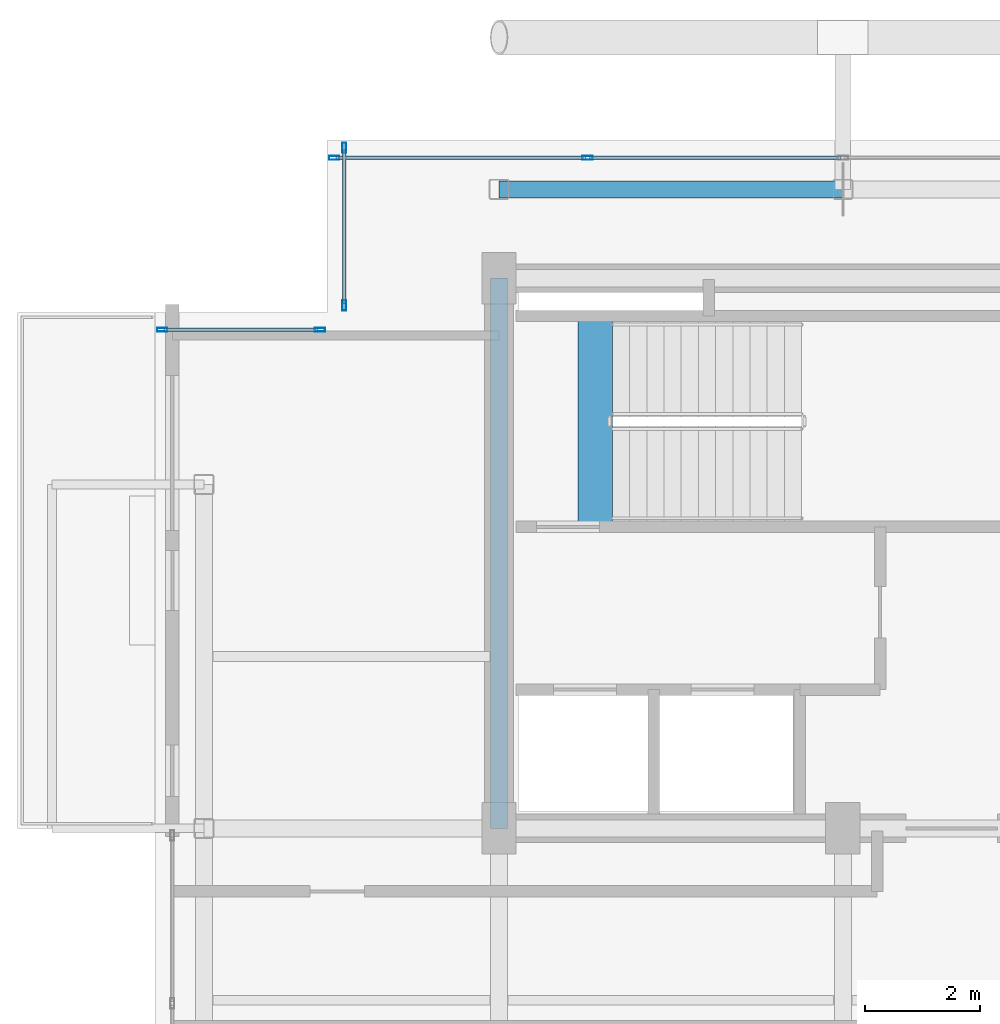
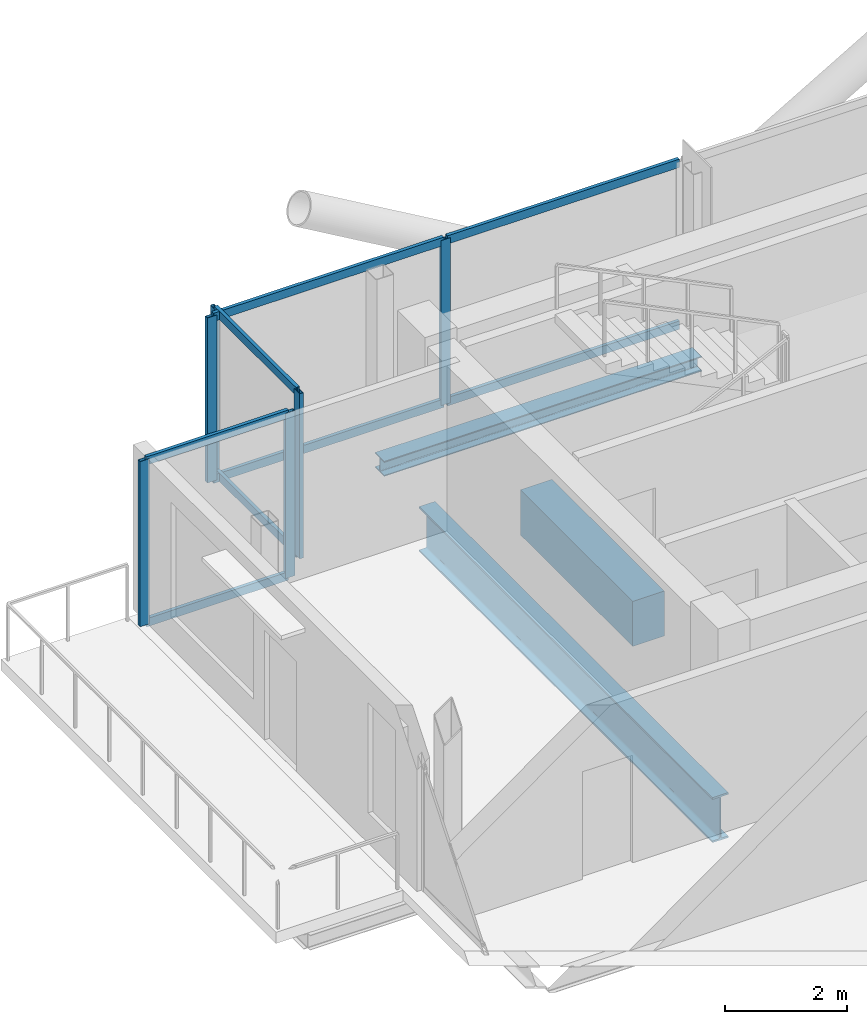
# One storey, part 7 of 18: 14 members, 3 beams, 3 elements without a shape of their own.
"""IFC4 building model written with IfcOpenShell, lengths in metres."""

from ifc_helpers import new_model, si_unit, direction, frame, origin, origin_2d, place, context, subcontext, project, spatial, rectangle, hollow_rectangle, i_section, extrude, material, layer, layer_set, material_profile, profile_set, type_object, element, aggregate, save


model = new_model("IFC4")

# Units and contexts
model_context = context("Model", 3, precision=1e-05, world=origin(), true_north=direction((0.0, 1.0)))
body_context = subcontext(model_context, "Body", "Model", "MODEL_VIEW")
ifc_project = project(units=[si_unit("LENGTHUNIT", "METRE"), si_unit("AREAUNIT", "SQUARE_METRE"), si_unit("VOLUMEUNIT", "CUBIC_METRE"), si_unit("PLANEANGLEUNIT", "RADIAN"), si_unit("MASSUNIT", "GRAM", prefix="KILO"), si_unit("THERMODYNAMICTEMPERATUREUNIT", "KELVIN"), si_unit("POWERUNIT", "WATT")], contexts=[model_context])

# Site, building, storey
site_placement = place(None, origin())
site = spatial("IfcSite", under=ifc_project, at=site_placement, CompositionType="ELEMENT")
building_placement = place(site_placement, origin())
building = spatial("IfcBuilding", under=site, at=building_placement, Name="Svarakhadi Broadcast Tower", CompositionType="ELEMENT")
storey_placement = place(building_placement, frame((0.0, 0.0, 274.699951171875)))
storey = spatial("IfcBuildingStorey", under=building, at=storey_placement, Name="L69", CompositionType="ELEMENT", Elevation=274.699951171875)

# Curtain wall, members
ifc_material_1 = material(Name="Anodised Bronze Aluminium AA 6063-T6", Category="aluminium")
ifc_layer = layer(ifc_material_1, 0.179931640625)
ifc_layer_set = layer_set([ifc_layer], Name="Anodised Bronze Aluminium AA 6063-T6")
curtain_wall_type = type_object("IfcCurtainWallType", Name="CW_Sys_05", PredefinedType="NOTDEFINED", material=ifc_layer_set)
curtain_wall_1_placement = place(storey_placement, origin())
curtain_wall_1 = element("IfcCurtainWall", 1, at=curtain_wall_1_placement, inside=storey, type_object=curtain_wall_type, Name="L69 Unitised Facade Curtain Wall 03", PredefinedType="NOTDEFINED")
ifc_material_profile_1 = material_profile(ifc_material_1, hollow_rectangle(XDim=0.070068359375, YDim=0.179931640625, WallThickness=0.005615234375, at=origin_2d()), Name="ALU MULLION 180x70x6")
ifc_profile_set_1 = profile_set([ifc_material_profile_1], Name="Anodised Bronze Aluminium AA 6063-T6")
member_type_1 = type_object("IfcMemberType", Name="CW_Sys_05_Mul", PredefinedType="MULLION", material=ifc_profile_set_1)
member_1_placement = place(storey_placement, frame((0.125, 26.699951171875, 0.0), z_axis=(0.0, 0.0, 1.0), x_axis=(0.0, 1.0, 0.0)))
member_1 = element("IfcMember", 2, at=member_1_placement, type_object=member_type_1, Name="CW-05 mullion 1", PredefinedType="MULLION", context=body_context, shape_type="SweptSolid", body=[
    extrude(hollow_rectangle(XDim=0.070068359375, YDim=0.179931640625, WallThickness=0.005615234375, at=origin_2d()), origin(), (0.0, 0.0, 1.0), 3.300048828125),
])
member_2_placement = place(storey_placement, frame((2.875, 26.699951171875, 0.0), z_axis=(0.0, 0.0, 1.0), x_axis=(0.0, 1.0, 0.0)))
member_2 = element("IfcMember", 3, at=member_2_placement, type_object=member_type_1, Name="CW-05 mullion 2", PredefinedType="MULLION", context=body_context, shape_type="SweptSolid", body=[
    extrude(hollow_rectangle(XDim=0.070068359375, YDim=0.179931640625, WallThickness=0.005615234375, at=origin_2d()), origin(), (0.0, 0.0, 1.0), 3.300048828125),
])

curtain_wall_2_placement = place(storey_placement, origin())
curtain_wall_2 = element("IfcCurtainWall", 4, at=curtain_wall_2_placement, inside=storey, type_object=curtain_wall_type, Name="L69 Unitised Facade Curtain Wall 04", PredefinedType="NOTDEFINED")
member_3_placement = place(storey_placement, frame((3.300048828125, 27.125, 0.0), z_axis=(0.0, 0.0, 1.0), x_axis=(-1.0, 0.0, 0.0)))
member_3 = element("IfcMember", 5, at=member_3_placement, type_object=member_type_1, Name="CW-05 mullion 1", PredefinedType="MULLION", context=body_context, shape_type="SweptSolid", body=[
    extrude(hollow_rectangle(XDim=0.070068359375, YDim=0.179931640625, WallThickness=0.005615234375, at=origin_2d()), origin(), (0.0, 0.0, 1.0), 3.300048828125),
])
member_4_placement = place(storey_placement, frame((3.300048828125, 29.875, 0.0), z_axis=(0.0, 0.0, 1.0), x_axis=(-1.0, 0.0, 0.0)))
member_4 = element("IfcMember", 6, at=member_4_placement, type_object=member_type_1, Name="CW-05 mullion 2", PredefinedType="MULLION", context=body_context, shape_type="SweptSolid", body=[
    extrude(hollow_rectangle(XDim=0.070068359375, YDim=0.179931640625, WallThickness=0.005615234375, at=origin_2d()), origin(), (0.0, 0.0, 1.0), 3.300048828125),
])

curtain_wall_3_placement = place(storey_placement, origin())
curtain_wall_3 = element("IfcCurtainWall", 7, at=curtain_wall_3_placement, inside=storey, type_object=curtain_wall_type, Name="L69 Unitised Facade Curtain Wall 05", PredefinedType="NOTDEFINED")
member_5_placement = place(storey_placement, frame((3.125, 29.699951171875, 0.0), z_axis=(0.0, 0.0, 1.0), x_axis=(0.0, 1.0, 0.0)))
member_5 = element("IfcMember", 8, at=member_5_placement, type_object=member_type_1, Name="CW-05 mullion 1", PredefinedType="MULLION", context=body_context, shape_type="SweptSolid", body=[
    extrude(hollow_rectangle(XDim=0.070068359375, YDim=0.179931640625, WallThickness=0.005615234375, at=origin_2d()), origin(), (0.0, 0.0, 1.0), 3.300048828125),
])
member_6_placement = place(storey_placement, frame((7.544921875, 29.699951171875, 0.0), z_axis=(0.0, 0.0, 1.0), x_axis=(0.0, 1.0, 0.0)))
member_6 = element("IfcMember", 9, at=member_6_placement, type_object=member_type_1, Name="CW-05 mullion 2", PredefinedType="MULLION", context=body_context, shape_type="SweptSolid", body=[
    extrude(hollow_rectangle(XDim=0.070068359375, YDim=0.179931640625, WallThickness=0.005615234375, at=origin_2d()), origin(), (0.0, 0.0, 1.0), 3.300048828125),
])

# Member
ifc_material_profile_2 = material_profile(ifc_material_1, hollow_rectangle(XDim=0.06494140625, YDim=0.1650390625, WallThickness=0.0048828125, at=origin_2d()), Name="ALU TRANSOM 165x65x5")
ifc_profile_set_2 = profile_set([ifc_material_profile_2], Name="Anodised Bronze Aluminium AA 6063-T6")
member_type_2 = type_object("IfcMemberType", Name="CW_Sys_05_Trn", PredefinedType="USERDEFINED", material=ifc_profile_set_2)
member_7_placement = place(storey_placement, frame((0.159912109375, 26.699951171875, 0.032470703125), z_axis=(1.0, 0.0, 0.0), x_axis=(0.0, 1.0, 0.0)))
member_7 = element("IfcMember", 10, at=member_7_placement, type_object=member_type_2, Name="CW-05 transom 1.1", ObjectType="TRANSOM", PredefinedType="USERDEFINED", context=body_context, shape_type="SweptSolid", body=[
    extrude(hollow_rectangle(XDim=0.06494140625, YDim=0.1650390625, WallThickness=0.0048828125, at=origin_2d()), origin(), (0.0, 0.0, 1.0), 2.68017578125),
])

member_8_placement = place(storey_placement, frame((0.159912109375, 26.699951171875, 3.267578125), z_axis=(1.0, 0.0, 0.0), x_axis=(0.0, 1.0, 0.0)))
member_8 = element("IfcMember", 11, at=member_8_placement, type_object=member_type_2, Name="CW-05 transom 1.2", ObjectType="TRANSOM", PredefinedType="USERDEFINED", context=body_context, shape_type="SweptSolid", body=[
    extrude(hollow_rectangle(XDim=0.06494140625, YDim=0.1650390625, WallThickness=0.0048828125, at=origin_2d()), origin(), (0.0, 0.0, 1.0), 2.68017578125),
])

aggregate(curtain_wall_1, [member_1, member_2, member_7, member_8])

member_9_placement = place(storey_placement, frame((3.300048828125, 27.159912109375, 0.032470703125), z_axis=(0.0, 1.0, 0.0), x_axis=(-1.0, 0.0, 0.0)))
member_9 = element("IfcMember", 12, at=member_9_placement, type_object=member_type_2, Name="CW-05 transom 1.1", ObjectType="TRANSOM", PredefinedType="USERDEFINED", context=body_context, shape_type="SweptSolid", body=[
    extrude(hollow_rectangle(XDim=0.06494140625, YDim=0.1650390625, WallThickness=0.0048828125, at=origin_2d()), origin(), (0.0, 0.0, 1.0), 2.68017578125),
])

member_10_placement = place(storey_placement, frame((3.300048828125, 27.159912109375, 3.267578125), z_axis=(0.0, 1.0, 0.0), x_axis=(-1.0, 0.0, 0.0)))
member_10 = element("IfcMember", 13, at=member_10_placement, type_object=member_type_2, Name="CW-05 transom 1.2", ObjectType="TRANSOM", PredefinedType="USERDEFINED", context=body_context, shape_type="SweptSolid", body=[
    extrude(hollow_rectangle(XDim=0.06494140625, YDim=0.1650390625, WallThickness=0.0048828125, at=origin_2d()), origin(), (0.0, 0.0, 1.0), 2.68017578125),
])

aggregate(curtain_wall_2, [member_3, member_4, member_9, member_10])

member_11_placement = place(storey_placement, frame((3.159912109375, 29.699951171875, 0.032470703125), z_axis=(1.0, 0.0, 0.0), x_axis=(0.0, 1.0, 0.0)))
member_11 = element("IfcMember", 14, at=member_11_placement, type_object=member_type_2, Name="CW-05 transom 1.1", ObjectType="TRANSOM", PredefinedType="USERDEFINED", context=body_context, shape_type="SweptSolid", body=[
    extrude(hollow_rectangle(XDim=0.06494140625, YDim=0.1650390625, WallThickness=0.0048828125, at=origin_2d()), origin(), (0.0, 0.0, 1.0), 4.35009765625),
])

member_12_placement = place(storey_placement, frame((3.159912109375, 29.699951171875, 3.267578125), z_axis=(1.0, 0.0, 0.0), x_axis=(0.0, 1.0, 0.0)))
member_12 = element("IfcMember", 15, at=member_12_placement, type_object=member_type_2, Name="CW-05 transom 1.2", ObjectType="TRANSOM", PredefinedType="USERDEFINED", context=body_context, shape_type="SweptSolid", body=[
    extrude(hollow_rectangle(XDim=0.06494140625, YDim=0.1650390625, WallThickness=0.0048828125, at=origin_2d()), origin(), (0.0, 0.0, 1.0), 4.35009765625),
])

member_13_placement = place(storey_placement, frame((7.580078125, 29.699951171875, 0.032470703125), z_axis=(1.0, 0.0, 0.0), x_axis=(0.0, 1.0, 0.0)))
member_13 = element("IfcMember", 16, at=member_13_placement, type_object=member_type_2, Name="CW-05 transom 2.1", ObjectType="TRANSOM", PredefinedType="USERDEFINED", context=body_context, shape_type="SweptSolid", body=[
    extrude(hollow_rectangle(XDim=0.06494140625, YDim=0.1650390625, WallThickness=0.0048828125, at=origin_2d()), origin(), (0.0, 0.0, 1.0), 4.385009765625),
])

member_14_placement = place(storey_placement, frame((7.580078125, 29.699951171875, 3.267578125), z_axis=(1.0, 0.0, 0.0), x_axis=(0.0, 1.0, 0.0)))
member_14 = element("IfcMember", 17, at=member_14_placement, type_object=member_type_2, Name="CW-05 transom 2.2", ObjectType="TRANSOM", PredefinedType="USERDEFINED", context=body_context, shape_type="SweptSolid", body=[
    extrude(hollow_rectangle(XDim=0.06494140625, YDim=0.1650390625, WallThickness=0.0048828125, at=origin_2d()), origin(), (0.0, 0.0, 1.0), 4.385009765625),
])

aggregate(curtain_wall_3, [member_5, member_6, member_11, member_12, member_13, member_14])

# Beams
ifc_material_2 = material(Name="Concrete C50/60 (IS 456 M60)", Category="concrete")
ifc_material_profile_3 = material_profile(ifc_material_2, rectangle(XDim=0.60009765625, YDim=0.89990234375, at=origin_2d()), Name="RC 600x900")
ifc_profile_set_3 = profile_set([ifc_material_profile_3], Name="Concrete C50/60 (IS 456 M60)")
beam_type_1 = type_object("IfcBeamType", Name="Coupling_RC600", PredefinedType="USERDEFINED", material=ifc_profile_set_3)
beam_1_placement = place(storey_placement, frame((7.679931640625, 23.260009765625, -0.449951171875), z_axis=(0.0, 1.0, 0.0), x_axis=(-1.0, 0.0, 0.0)))
element("IfcBeam", 18, at=beam_1_placement, inside=storey, type_object=beam_type_1, Name="L69 Stair ST-01 Landing Throat Trimmer Beam CB-01", ObjectType="GIRDER", PredefinedType="USERDEFINED", context=body_context, shape_type="SweptSolid", body=[
    extrude(rectangle(XDim=0.60009765625, YDim=0.89990234375, at=origin_2d()), origin(), (0.0, 0.0, 1.0), 3.679931640625),
])
ifc_material_3 = material(Name="Steel S355J2 (IS 2062 E350C)", Category="steel")
ifc_material_profile_4 = material_profile(ifc_material_3, i_section(OverallWidth=0.300048828125, OverallDepth=0.300048828125, WebThickness=0.010986328125, FlangeThickness=0.01904296875, FilletRadius=0.027099609375, at=origin_2d()), Name="WPB 300x300x117")
ifc_profile_set_4 = profile_set([ifc_material_profile_4], Name="Steel S355J2 (IS 2062 E350C)")
beam_type_2 = type_object("IfcBeamType", Name="Girder_WPB300", PredefinedType="USERDEFINED", material=ifc_profile_set_4)
beam_2_placement = place(storey_placement, frame((6.0, 29.14990234375, -0.349853515625), z_axis=(1.0, 0.0, 0.0), x_axis=(0.0, 1.0, 0.0)))
element("IfcBeam", 19, at=beam_2_placement, inside=storey, type_object=beam_type_2, Name="L69 Primary E-W Girder G024", ObjectType="GIRDER", PredefinedType="USERDEFINED", context=body_context, shape_type="SweptSolid", body=[
    extrude(i_section(OverallWidth=0.300048828125, OverallDepth=0.300048828125, WebThickness=0.010986328125, FlangeThickness=0.01904296875, FilletRadius=0.027099609375, at=origin_2d()), origin(), (0.0, 0.0, 1.0), 6.0),
])
ifc_material_4 = material(Name="Steel S460ML (IS 2062 E450BR)", Category="steel")
ifc_material_profile_5 = material_profile(ifc_material_4, i_section(OverallWidth=0.300048828125, OverallDepth=0.89990234375, WebThickness=0.0185546875, FlangeThickness=0.034912109375, FilletRadius=0.030029296875, at=origin_2d()), Name="WPB 900x300x291")
ifc_profile_set_5 = profile_set([ifc_material_profile_5], Name="Steel S460ML (IS 2062 E450BR)")
beam_type_3 = type_object("IfcBeamType", Name="Girder_WPB900", PredefinedType="USERDEFINED", material=ifc_profile_set_5)
beam_3_placement = place(storey_placement, frame((6.0, 18.0, -0.64990234375), z_axis=(0.0, 1.0, 0.0), x_axis=(-1.0, 0.0, 0.0)))
element("IfcBeam", 20, at=beam_3_placement, inside=storey, type_object=beam_type_3, Name="L69 Primary N-S Girder G032", ObjectType="GIRDER", PredefinedType="USERDEFINED", context=body_context, shape_type="SweptSolid", body=[
    extrude(i_section(OverallWidth=0.300048828125, OverallDepth=0.89990234375, WebThickness=0.0185546875, FlangeThickness=0.034912109375, FilletRadius=0.030029296875, at=origin_2d()), origin(), (0.0, 0.0, 1.0), 9.60009765625),
])

save(model, "model.ifc")
